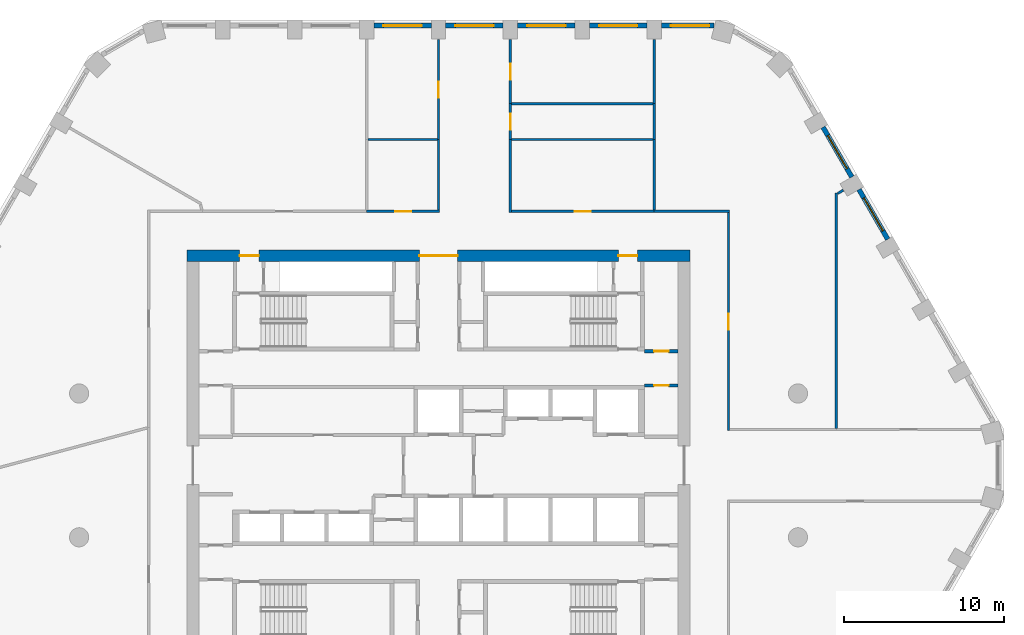
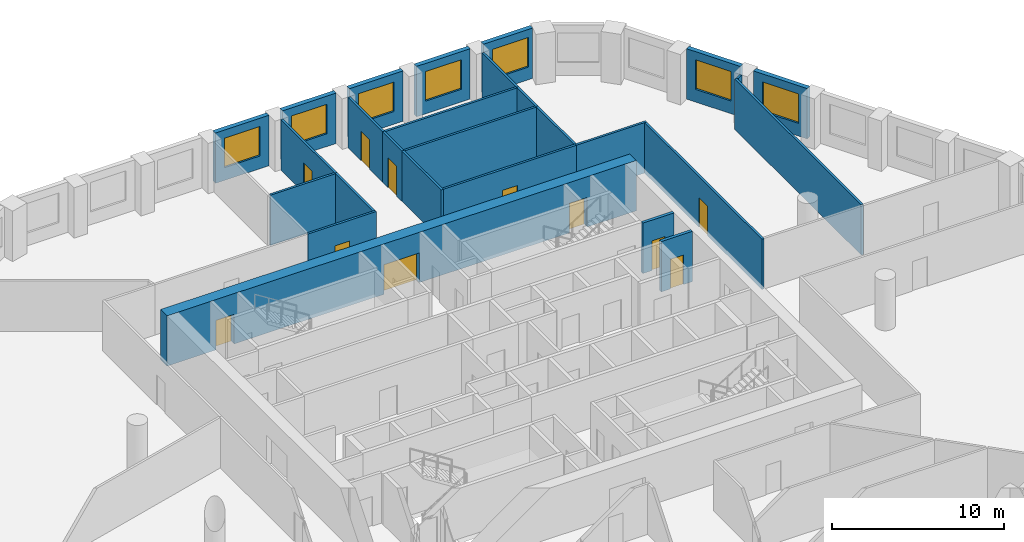
# One storey, part 7 of 9: 27 walls, 11 doors, 7 windows, 18 openings.
"""IFC4 building model written with IfcOpenShell, lengths in metres."""

from ifc_helpers import new_model, si_unit, direction, frame, frame_2d, origin, place, context, subcontext, project, spatial, rectangle, extrude, material, layer, layer_set, type_object, element, fill, save


model = new_model("IFC4")

# Units and contexts
model_context = context("Model", 3, precision=1e-05, world=origin(), true_north=direction((0.0, 1.0)))
body_context = subcontext(model_context, "Body", "Model", "MODEL_VIEW")
ifc_project = project(units=[si_unit("LENGTHUNIT", "METRE"), si_unit("AREAUNIT", "SQUARE_METRE"), si_unit("VOLUMEUNIT", "CUBIC_METRE"), si_unit("PLANEANGLEUNIT", "RADIAN"), si_unit("MASSUNIT", "GRAM", prefix="KILO")], contexts=[model_context])

# Site, building, storey
site_placement = place(None, origin())
site = spatial("IfcSite", under=ifc_project, at=site_placement, CompositionType="ELEMENT")
building_placement = place(site_placement, origin())
building = spatial("IfcBuilding", under=site, at=building_placement, Name="Dhurran Vertical Campus", CompositionType="ELEMENT")
storey_placement = place(building_placement, frame((0.0, 0.0, 167.699951171875)))
storey = spatial("IfcBuildingStorey", under=building, at=storey_placement, Name="L41", CompositionType="ELEMENT", Elevation=167.699951171875)

# Wall, opening, window
ifc_material_1 = material(Name="Precast concrete C50/60", Category="concrete")
ifc_layer_1 = layer(ifc_material_1, 0.300048828125)
ifc_layer_set_1 = layer_set([ifc_layer_1], Name="Precast concrete C50/60")
wall_type_1 = type_object("IfcWallType", Name="Precast spandrel wall 300", PredefinedType="SOLIDWALL", material=ifc_layer_set_1)
wall_1_placement = place(storey_placement, frame((28.118896484375, 14.156494140625, 0.0), z_axis=(0.0, 0.0, 1.0), x_axis=(-0.500027802648, 0.866009351323, 0.0)))
wall_1 = element("IfcWall", 1, at=wall_1_placement, inside=storey, type_object=wall_type_1, Name="EW1 L41.19", PredefinedType="SOLIDWALL", context=body_context, shape_type="SweptSolid", body=[
    extrude(rectangle(XDim=3.598876953125, YDim=0.300048828125, at=frame_2d((1.79931640625, 0.0))), origin(), (0.0, 0.0, 1.0), 3.574951171875),
])
opening_1_placement = place(wall_1_placement, frame((0.599609375, 0.0, 0.89990234375)))
opening_1 = element("IfcOpeningElement", 2, at=opening_1_placement, cuts=wall_1, Name="Opening WT1", PredefinedType="OPENING", context=body_context, shape_type="SweptSolid", body=[
    extrude(rectangle(XDim=2.39990234375, YDim=2.10009765625, at=frame_2d((1.199951171875, 1.050048828125))), frame((0.0, 0.159912109375, 0.0), z_axis=(0.0, -1.0, 0.0), x_axis=(1.0, 0.0, 0.0)), (0.0, 0.0, 1.0), 0.320068359375),
])
ifc_material_2 = material(Name="Aluminium frame with solar-control glass", Category="aluminium")
window_type = type_object("IfcWindowType", Name="Punched window 2400 x 2100", PartitioningType="SINGLE_PANEL", PredefinedType="WINDOW", material=ifc_material_2)
window_1_placement = place(opening_1_placement, origin())
window_1 = element("IfcWindow", 3, at=window_1_placement, inside=storey, type_object=window_type, Name="WT1 L41.19", OverallHeight=2.10009765625, OverallWidth=2.39990234375, PartitioningType="SINGLE_PANEL", PredefinedType="WINDOW", context=body_context, shape_type="SweptSolid", body=[
    extrude(rectangle(XDim=2.39990234375, YDim=2.10009765625, at=frame_2d((1.199951171875, 1.050048828125))), frame((0.0, 0.030029296875, 0.0), z_axis=(0.0, -1.0, 0.0), x_axis=(1.0, 0.0, 0.0)), (0.0, 0.0, 1.0), 0.06005859375),
])
fill(opening_1, window_1)

wall_2_placement = place(storey_placement, frame((25.868896484375, 18.0537109375, 0.0), z_axis=(0.0, 0.0, 1.0), x_axis=(-0.500027802648, 0.866009351323, 0.0)))
wall_2 = element("IfcWall", 4, at=wall_2_placement, inside=storey, type_object=wall_type_1, Name="EW1 L41.20", PredefinedType="SOLIDWALL", context=body_context, shape_type="SweptSolid", body=[
    extrude(rectangle(XDim=3.598876953125, YDim=0.300048828125, at=frame_2d((1.79931640625, 0.0))), origin(), (0.0, 0.0, 1.0), 3.574951171875),
])
opening_2_placement = place(wall_2_placement, frame((0.599609375, 0.0, 0.89990234375)))
opening_2 = element("IfcOpeningElement", 5, at=opening_2_placement, cuts=wall_2, Name="Opening WT1", PredefinedType="OPENING", context=body_context, shape_type="SweptSolid", body=[
    extrude(rectangle(XDim=2.39990234375, YDim=2.10009765625, at=frame_2d((1.199951171875, 1.050048828125))), frame((0.0, 0.159912109375, 0.0), z_axis=(0.0, -1.0, 0.0), x_axis=(1.0, 0.0, 0.0)), (0.0, 0.0, 1.0), 0.320068359375),
])
window_2_placement = place(opening_2_placement, origin())
window_2 = element("IfcWindow", 6, at=window_2_placement, inside=storey, type_object=window_type, Name="WT1 L41.20", OverallHeight=2.10009765625, OverallWidth=2.39990234375, PartitioningType="SINGLE_PANEL", PredefinedType="WINDOW", context=body_context, shape_type="SweptSolid", body=[
    extrude(rectangle(XDim=2.39990234375, YDim=2.10009765625, at=frame_2d((1.199951171875, 1.050048828125))), frame((0.0, 0.030029296875, 0.0), z_axis=(0.0, -1.0, 0.0), x_axis=(1.0, 0.0, 0.0)), (0.0, 0.0, 1.0), 0.06005859375),
])
fill(opening_2, window_2)

wall_3_placement = place(storey_placement, frame((17.24462890625, 27.53271484375, 0.0), z_axis=(0.0, 0.0, 1.0), x_axis=(-1.0, 0.0, 0.0)))
wall_3 = element("IfcWall", 7, at=wall_3_placement, inside=storey, type_object=wall_type_1, Name="EW1 L41.23", PredefinedType="SOLIDWALL", context=body_context, shape_type="SweptSolid", body=[
    extrude(rectangle(XDim=3.294189453125, YDim=0.300048828125, at=frame_2d((1.64697265625, 0.0))), origin(), (0.0, 0.0, 1.0), 3.574951171875),
])
opening_3_placement = place(wall_3_placement, frame((0.294677734375, 0.0, 0.89990234375)))
opening_3 = element("IfcOpeningElement", 8, at=opening_3_placement, cuts=wall_3, Name="Opening WT1", PredefinedType="OPENING", context=body_context, shape_type="SweptSolid", body=[
    extrude(rectangle(XDim=2.39990234375, YDim=2.10009765625, at=frame_2d((1.199951171875, 1.050048828125))), frame((0.0, 0.159912109375, 0.0), z_axis=(0.0, -1.0, 0.0), x_axis=(1.0, 0.0, 0.0)), (0.0, 0.0, 1.0), 0.320068359375),
])
window_3_placement = place(opening_3_placement, origin())
window_3 = element("IfcWindow", 9, at=window_3_placement, inside=storey, type_object=window_type, Name="WT1 L41.23", OverallHeight=2.10009765625, OverallWidth=2.39990234375, PartitioningType="SINGLE_PANEL", PredefinedType="WINDOW", context=body_context, shape_type="SweptSolid", body=[
    extrude(rectangle(XDim=2.39990234375, YDim=2.10009765625, at=frame_2d((1.199951171875, 1.050048828125))), frame((0.0, 0.030029296875, 0.0), z_axis=(0.0, -1.0, 0.0), x_axis=(1.0, 0.0, 0.0)), (0.0, 0.0, 1.0), 0.06005859375),
])
fill(opening_3, window_3)

wall_4_placement = place(storey_placement, frame((13.049560546875, 27.53271484375, 0.0), z_axis=(0.0, 0.0, 1.0), x_axis=(-1.0, 0.0, 0.0)))
wall_4 = element("IfcWall", 10, at=wall_4_placement, inside=storey, type_object=wall_type_1, Name="EW1 L41.24", PredefinedType="SOLIDWALL", context=body_context, shape_type="SweptSolid", body=[
    extrude(rectangle(XDim=3.59912109375, YDim=0.300048828125, at=frame_2d((1.799560546875, 0.0))), origin(), (0.0, 0.0, 1.0), 3.574951171875),
])
opening_4_placement = place(wall_4_placement, frame((0.599609375, 0.0, 0.89990234375)))
opening_4 = element("IfcOpeningElement", 11, at=opening_4_placement, cuts=wall_4, Name="Opening WT1", PredefinedType="OPENING", context=body_context, shape_type="SweptSolid", body=[
    extrude(rectangle(XDim=2.39990234375, YDim=2.10009765625, at=frame_2d((1.199951171875, 1.050048828125))), frame((0.0, 0.159912109375, 0.0), z_axis=(0.0, -1.0, 0.0), x_axis=(1.0, 0.0, 0.0)), (0.0, 0.0, 1.0), 0.320068359375),
])
window_4_placement = place(opening_4_placement, origin())
window_4 = element("IfcWindow", 12, at=window_4_placement, inside=storey, type_object=window_type, Name="WT1 L41.24", OverallHeight=2.10009765625, OverallWidth=2.39990234375, PartitioningType="SINGLE_PANEL", PredefinedType="WINDOW", context=body_context, shape_type="SweptSolid", body=[
    extrude(rectangle(XDim=2.39990234375, YDim=2.10009765625, at=frame_2d((1.199951171875, 1.050048828125))), frame((0.0, 0.030029296875, 0.0), z_axis=(0.0, -1.0, 0.0), x_axis=(1.0, 0.0, 0.0)), (0.0, 0.0, 1.0), 0.06005859375),
])
fill(opening_4, window_4)

wall_5_placement = place(storey_placement, frame((8.549560546875, 27.53271484375, 0.0), z_axis=(0.0, 0.0, 1.0), x_axis=(-1.0, 0.0, 0.0)))
wall_5 = element("IfcWall", 13, at=wall_5_placement, inside=storey, type_object=wall_type_1, Name="EW1 L41.25", PredefinedType="SOLIDWALL", context=body_context, shape_type="SweptSolid", body=[
    extrude(rectangle(XDim=3.59912109375, YDim=0.300048828125, at=frame_2d((1.799560546875, 0.0))), origin(), (0.0, 0.0, 1.0), 3.574951171875),
])
opening_5_placement = place(wall_5_placement, frame((0.599609375, 0.0, 0.89990234375)))
opening_5 = element("IfcOpeningElement", 14, at=opening_5_placement, cuts=wall_5, Name="Opening WT1", PredefinedType="OPENING", context=body_context, shape_type="SweptSolid", body=[
    extrude(rectangle(XDim=2.39990234375, YDim=2.10009765625, at=frame_2d((1.199951171875, 1.050048828125))), frame((0.0, 0.159912109375, 0.0), z_axis=(0.0, -1.0, 0.0), x_axis=(1.0, 0.0, 0.0)), (0.0, 0.0, 1.0), 0.320068359375),
])
window_5_placement = place(opening_5_placement, origin())
window_5 = element("IfcWindow", 15, at=window_5_placement, inside=storey, type_object=window_type, Name="WT1 L41.25", OverallHeight=2.10009765625, OverallWidth=2.39990234375, PartitioningType="SINGLE_PANEL", PredefinedType="WINDOW", context=body_context, shape_type="SweptSolid", body=[
    extrude(rectangle(XDim=2.39990234375, YDim=2.10009765625, at=frame_2d((1.199951171875, 1.050048828125))), frame((0.0, 0.030029296875, 0.0), z_axis=(0.0, -1.0, 0.0), x_axis=(1.0, 0.0, 0.0)), (0.0, 0.0, 1.0), 0.06005859375),
])
fill(opening_5, window_5)

wall_6_placement = place(storey_placement, frame((4.049560546875, 27.53271484375, 0.0), z_axis=(0.0, 0.0, 1.0), x_axis=(-1.0, 0.0, 0.0)))
wall_6 = element("IfcWall", 16, at=wall_6_placement, inside=storey, type_object=wall_type_1, Name="EW1 L41.26", PredefinedType="SOLIDWALL", context=body_context, shape_type="SweptSolid", body=[
    extrude(rectangle(XDim=3.59912109375, YDim=0.300048828125, at=frame_2d((1.799560546875, 0.0))), origin(), (0.0, 0.0, 1.0), 3.574951171875),
])
opening_6_placement = place(wall_6_placement, frame((0.599609375, 0.0, 0.89990234375)))
opening_6 = element("IfcOpeningElement", 17, at=opening_6_placement, cuts=wall_6, Name="Opening WT1", PredefinedType="OPENING", context=body_context, shape_type="SweptSolid", body=[
    extrude(rectangle(XDim=2.39990234375, YDim=2.10009765625, at=frame_2d((1.199951171875, 1.050048828125))), frame((0.0, 0.159912109375, 0.0), z_axis=(0.0, -1.0, 0.0), x_axis=(1.0, 0.0, 0.0)), (0.0, 0.0, 1.0), 0.320068359375),
])
window_6_placement = place(opening_6_placement, origin())
window_6 = element("IfcWindow", 18, at=window_6_placement, inside=storey, type_object=window_type, Name="WT1 L41.26", OverallHeight=2.10009765625, OverallWidth=2.39990234375, PartitioningType="SINGLE_PANEL", PredefinedType="WINDOW", context=body_context, shape_type="SweptSolid", body=[
    extrude(rectangle(XDim=2.39990234375, YDim=2.10009765625, at=frame_2d((1.199951171875, 1.050048828125))), frame((0.0, 0.030029296875, 0.0), z_axis=(0.0, -1.0, 0.0), x_axis=(1.0, 0.0, 0.0)), (0.0, 0.0, 1.0), 0.06005859375),
])
fill(opening_6, window_6)

wall_7_placement = place(storey_placement, frame((-0.450439453125, 27.53271484375, 0.0), z_axis=(0.0, 0.0, 1.0), x_axis=(-1.0, 0.0, 0.0)))
wall_7 = element("IfcWall", 19, at=wall_7_placement, inside=storey, type_object=wall_type_1, Name="EW1 L41.27", PredefinedType="SOLIDWALL", context=body_context, shape_type="SweptSolid", body=[
    extrude(rectangle(XDim=3.59912109375, YDim=0.300048828125, at=frame_2d((1.799560546875, 0.0))), origin(), (0.0, 0.0, 1.0), 3.574951171875),
])
opening_7_placement = place(wall_7_placement, frame((0.599609375, 0.0, 0.89990234375)))
opening_7 = element("IfcOpeningElement", 20, at=opening_7_placement, cuts=wall_7, Name="Opening WT1", PredefinedType="OPENING", context=body_context, shape_type="SweptSolid", body=[
    extrude(rectangle(XDim=2.39990234375, YDim=2.10009765625, at=frame_2d((1.199951171875, 1.050048828125))), frame((0.0, 0.159912109375, 0.0), z_axis=(0.0, -1.0, 0.0), x_axis=(1.0, 0.0, 0.0)), (0.0, 0.0, 1.0), 0.320068359375),
])
window_7_placement = place(opening_7_placement, origin())
window_7 = element("IfcWindow", 21, at=window_7_placement, inside=storey, type_object=window_type, Name="WT1 L41.27", OverallHeight=2.10009765625, OverallWidth=2.39990234375, PartitioningType="SINGLE_PANEL", PredefinedType="WINDOW", context=body_context, shape_type="SweptSolid", body=[
    extrude(rectangle(XDim=2.39990234375, YDim=2.10009765625, at=frame_2d((1.199951171875, 1.050048828125))), frame((0.0, 0.030029296875, 0.0), z_axis=(0.0, -1.0, 0.0), x_axis=(1.0, 0.0, 0.0)), (0.0, 0.0, 1.0), 0.06005859375),
])
fill(opening_7, window_7)

# Wall, openings, doors
ifc_material_3 = material(Name="Concrete C60/75", Category="concrete")
ifc_layer_2 = layer(ifc_material_3, 0.75)
ifc_layer_set_2 = layer_set([ifc_layer_2], Name="Concrete C60/75")
wall_type_2 = type_object("IfcWallType", Name="co-CORE-WALL-C1-750", PredefinedType="SHEAR", material=ifc_layer_set_2)
wall_8_placement = place(storey_placement, frame((-15.75, 13.125, 0.0), z_axis=(0.0, 0.0, 1.0), x_axis=(1.0, 0.0, 0.0)))
wall_8 = element("IfcWall", 22, at=wall_8_placement, inside=storey, type_object=wall_type_2, Name="Core wall N L41", PredefinedType="SHEAR", context=body_context, shape_type="SweptSolid", body=[
    extrude(rectangle(XDim=31.5, YDim=0.75, at=frame_2d((15.75, 0.0))), origin(), (0.0, 0.0, 1.0), 3.574951171875),
])
opening_8_placement = place(wall_8_placement, frame((14.550048828125, 0.0, 0.0)))
opening_8 = element("IfcOpeningElement", 23, at=opening_8_placement, cuts=wall_8, Name="Opening CV1", PredefinedType="OPENING", context=body_context, shape_type="SweptSolid", body=[
    extrude(rectangle(XDim=2.39990234375, YDim=2.10009765625, at=frame_2d((1.199951171875, 1.050048828125))), frame((0.0, 0.385009765625, 0.0), z_axis=(0.0, -1.0, 0.0), x_axis=(1.0, 0.0, 0.0)), (0.0, 0.0, 1.0), 0.77001953125),
])
opening_9_placement = place(wall_8_placement, frame((3.300048828125, 0.0, 0.0)))
opening_9 = element("IfcOpeningElement", 24, at=opening_9_placement, cuts=wall_8, Name="Opening XD1", PredefinedType="OPENING", context=body_context, shape_type="SweptSolid", body=[
    extrude(rectangle(XDim=1.199951171875, YDim=2.10009765625, at=frame_2d((0.60009765625, 1.050048828125))), frame((0.0, 0.385009765625, 0.0), z_axis=(0.0, -1.0, 0.0), x_axis=(1.0, 0.0, 0.0)), (0.0, 0.0, 1.0), 0.77001953125),
])
opening_10_placement = place(wall_8_placement, frame((27.0, 0.0, 0.0)))
opening_10 = element("IfcOpeningElement", 25, at=opening_10_placement, cuts=wall_8, Name="Opening XD2", PredefinedType="OPENING", context=body_context, shape_type="SweptSolid", body=[
    extrude(rectangle(XDim=1.199951171875, YDim=2.10009765625, at=frame_2d((0.60009765625, 1.050048828125))), frame((0.0, 0.385009765625, 0.0), z_axis=(0.0, -1.0, 0.0), x_axis=(1.0, 0.0, 0.0)), (0.0, 0.0, 1.0), 0.77001953125),
])
ifc_material_4 = material(Name="Fire-rated glazed door set")
door_type_1 = type_object("IfcDoorType", Name="co-D-LOBBY 2400x2100", OperationType="DOUBLE_DOOR_DOUBLE_SWING", PredefinedType="DOOR", material=ifc_material_4)
door_1_placement = place(opening_8_placement, origin())
door_1 = element("IfcDoor", 26, at=door_1_placement, inside=storey, type_object=door_type_1, Name="Core vestibule door N L41", OperationType="DOUBLE_DOOR_DOUBLE_SWING", OverallHeight=2.10009765625, OverallWidth=2.39990234375, PredefinedType="DOOR", context=body_context, shape_type="SweptSolid", body=[
    extrude(rectangle(XDim=2.39990234375, YDim=2.10009765625, at=frame_2d((1.199951171875, 1.050048828125))), frame((0.0, 0.02490234375, 0.0), z_axis=(0.0, -1.0, 0.0), x_axis=(1.0, 0.0, 0.0)), (0.0, 0.0, 1.0), 0.050048828125),
])
fill(opening_8, door_1)
ifc_material_5 = material(Name="Fire-rated steel door set", Category="steel")
door_type_2 = type_object("IfcDoorType", Name="co-D-STAIR-EXIT 1200x2100", OperationType="SINGLE_SWING_RIGHT", PredefinedType="DOOR", material=ifc_material_5)
door_2_placement = place(opening_9_placement, origin())
door_2 = element("IfcDoor", 27, at=door_2_placement, inside=storey, type_object=door_type_2, Name="Stair ST1 exit door L41", OperationType="SINGLE_SWING_RIGHT", OverallHeight=2.10009765625, OverallWidth=1.199951171875, PredefinedType="DOOR", context=body_context, shape_type="SweptSolid", body=[
    extrude(rectangle(XDim=1.199951171875, YDim=2.10009765625, at=frame_2d((0.60009765625, 1.050048828125))), frame((0.0, 0.02490234375, 0.0), z_axis=(0.0, -1.0, 0.0), x_axis=(1.0, 0.0, 0.0)), (0.0, 0.0, 1.0), 0.050048828125),
])
fill(opening_9, door_2)
door_3_placement = place(opening_10_placement, origin())
door_3 = element("IfcDoor", 28, at=door_3_placement, inside=storey, type_object=door_type_2, Name="Stair ST2 exit door L41", OperationType="SINGLE_SWING_RIGHT", OverallHeight=2.10009765625, OverallWidth=1.199951171875, PredefinedType="DOOR", context=body_context, shape_type="SweptSolid", body=[
    extrude(rectangle(XDim=1.199951171875, YDim=2.10009765625, at=frame_2d((0.60009765625, 1.050048828125))), frame((0.0, 0.02490234375, 0.0), z_axis=(0.0, -1.0, 0.0), x_axis=(1.0, 0.0, 0.0)), (0.0, 0.0, 1.0), 0.050048828125),
])
fill(opening_10, door_3)

# Wall, opening, door
ifc_material_6 = material(Name="Fire-rated masonry blockwork", Category="masonry")
ifc_layer_3 = layer(ifc_material_6, 0.199951171875)
ifc_layer_set_3 = layer_set([ifc_layer_3], Name="Fire-rated masonry blockwork")
wall_type_3 = type_object("IfcWallType", Name="co-FIRE-PARTITION-200", PredefinedType="PARTITIONING", material=ifc_layer_set_3)
wall_9_placement = place(storey_placement, frame((12.89990234375, 7.14990234375, 0.0), z_axis=(0.0, 0.0, 1.0), x_axis=(1.0, 0.0, 0.0)))
wall_9 = element("IfcWall", 29, at=wall_9_placement, inside=storey, type_object=wall_type_3, Name="Core partition en-NE-w L41", PredefinedType="PARTITIONING", context=body_context, shape_type="SweptSolid", body=[
    extrude(rectangle(XDim=2.10009765625, YDim=0.199951171875, at=frame_2d((1.050048828125, 0.0))), origin(), (0.0, 0.0, 1.0), 3.574951171875),
])
opening_11_placement = place(wall_9_placement, frame((0.60009765625, 0.0, 0.0)))
opening_11 = element("IfcOpeningElement", 30, at=opening_11_placement, cuts=wall_9, Name="Opening T12-C16", PredefinedType="OPENING", context=body_context, shape_type="SweptSolid", body=[
    extrude(rectangle(XDim=0.89990234375, YDim=2.10009765625, at=frame_2d((0.449951171875, 1.050048828125))), frame((0.0, 0.10986328125, 0.0), z_axis=(0.0, -1.0, 0.0), x_axis=(1.0, 0.0, 0.0)), (0.0, 0.0, 1.0), 0.219970703125),
])
ifc_material_7 = material(Name="Fire-rated timber door set", Category="wood")
door_type_3 = type_object("IfcDoorType", Name="co-D-ROOM 900x2100", OperationType="SINGLE_SWING_LEFT", PredefinedType="DOOR", material=ifc_material_7)
door_4_placement = place(opening_11_placement, origin())
door_4 = element("IfcDoor", 31, at=door_4_placement, inside=storey, type_object=door_type_3, Name="Server room door L41", OperationType="SINGLE_SWING_LEFT", OverallHeight=2.10009765625, OverallWidth=0.89990234375, PredefinedType="DOOR", context=body_context, shape_type="SweptSolid", body=[
    extrude(rectangle(XDim=0.89990234375, YDim=2.10009765625, at=frame_2d((0.449951171875, 1.050048828125))), frame((0.0, 0.02490234375, 0.0), z_axis=(0.0, -1.0, 0.0), x_axis=(1.0, 0.0, 0.0)), (0.0, 0.0, 1.0), 0.050048828125),
])
fill(opening_11, door_4)

wall_10_placement = place(storey_placement, frame((12.89990234375, 5.0, 0.0), z_axis=(0.0, 0.0, 1.0), x_axis=(1.0, 0.0, 0.0)))
wall_10 = element("IfcWall", 32, at=wall_10_placement, inside=storey, type_object=wall_type_3, Name="Core partition es-NE-w L41", PredefinedType="PARTITIONING", context=body_context, shape_type="SweptSolid", body=[
    extrude(rectangle(XDim=2.10009765625, YDim=0.199951171875, at=frame_2d((1.050048828125, 0.0))), origin(), (0.0, 0.0, 1.0), 3.574951171875),
])
opening_12_placement = place(wall_10_placement, frame((0.60009765625, 0.0, 0.0)))
opening_12 = element("IfcOpeningElement", 33, at=opening_12_placement, cuts=wall_10, Name="Opening T12-C17", PredefinedType="OPENING", context=body_context, shape_type="SweptSolid", body=[
    extrude(rectangle(XDim=0.89990234375, YDim=2.10009765625, at=frame_2d((0.449951171875, 1.050048828125))), frame((0.0, 0.10986328125, 0.0), z_axis=(0.0, -1.0, 0.0), x_axis=(1.0, 0.0, 0.0)), (0.0, 0.0, 1.0), 0.219970703125),
])
door_5_placement = place(opening_12_placement, origin())
door_5 = element("IfcDoor", 34, at=door_5_placement, inside=storey, type_object=door_type_3, Name="Communications room door L41", OperationType="SINGLE_SWING_LEFT", OverallHeight=2.10009765625, OverallWidth=0.89990234375, PredefinedType="DOOR", context=body_context, shape_type="SweptSolid", body=[
    extrude(rectangle(XDim=0.89990234375, YDim=2.10009765625, at=frame_2d((0.449951171875, 1.050048828125))), frame((0.0, 0.02490234375, 0.0), z_axis=(0.0, -1.0, 0.0), x_axis=(1.0, 0.0, 0.0)), (0.0, 0.0, 1.0), 0.050048828125),
])
fill(opening_12, door_5)

ifc_material_8 = material(Name="Gypsum board corridor wall on steel studs", Category="steel")
ifc_layer_4 = layer(ifc_material_8, 0.14990234375)
ifc_layer_set_4 = layer_set([ifc_layer_4], Name="Gypsum board corridor wall on steel studs")
wall_type_4 = type_object("IfcWallType", Name="fl-CW-150 corridor wall", PredefinedType="PARTITIONING", material=ifc_layer_set_4)
wall_11_placement = place(storey_placement, frame((0.074951171875, 15.89990234375, 0.0), z_axis=(0.0, 0.0, 1.0), x_axis=(-1.0, 0.0, 0.0)))
wall_11 = element("IfcWall", 35, at=wall_11_placement, inside=storey, type_object=wall_type_4, Name="Partition 41-17", PredefinedType="PARTITIONING", context=body_context, shape_type="SweptSolid", body=[
    extrude(rectangle(XDim=4.574951171875, YDim=0.14990234375, at=frame_2d((2.28759765625, 0.0))), origin(), (0.0, 0.0, 1.0), 3.574951171875),
])
opening_13_placement = place(wall_11_placement, frame((1.78759765625, 0.0, 0.0)))
opening_13 = element("IfcOpeningElement", 36, at=opening_13_placement, cuts=wall_11, Name="Opening T12.07", PredefinedType="OPENING", context=body_context, shape_type="SweptSolid", body=[
    extrude(rectangle(XDim=1.0, YDim=2.10009765625, at=frame_2d((0.5, 1.050048828125))), frame((0.0, 0.0849609375, 0.0), z_axis=(0.0, -1.0, 0.0), x_axis=(1.0, 0.0, 0.0)), (0.0, 0.0, 1.0), 0.169921875),
])
ifc_material_9 = material(Name="Solid-core timber door set, fire-rated", Category="wood")
door_type_4 = type_object("IfcDoorType", Name="fl-D-1000x2100", OperationType="SINGLE_SWING_LEFT", PredefinedType="DOOR", material=ifc_material_9)
door_6_placement = place(opening_13_placement, origin())
door_6 = element("IfcDoor", 37, at=door_6_placement, inside=storey, type_object=door_type_4, Name="Door 41.07", OperationType="SINGLE_SWING_RIGHT", OverallHeight=2.10009765625, OverallWidth=1.0, PredefinedType="DOOR", context=body_context, shape_type="SweptSolid", body=[
    extrude(rectangle(XDim=1.0, YDim=2.10009765625, at=frame_2d((0.5, 1.050048828125))), frame((0.0, 0.02490234375, 0.0), z_axis=(0.0, -1.0, 0.0), x_axis=(1.0, 0.0, 0.0)), (0.0, 0.0, 1.0), 0.050048828125),
])
fill(opening_13, door_6)

# Wall
wall_12_placement = place(storey_placement, frame((0.0, 15.97509765625, 0.0), z_axis=(0.0, 0.0, 1.0), x_axis=(0.0, 1.0, 0.0)))
element("IfcWall", 38, at=wall_12_placement, inside=storey, type_object=wall_type_4, Name="Partition 41-22", PredefinedType="PARTITIONING", context=body_context, shape_type="SweptSolid", body=[
    extrude(rectangle(XDim=4.4248046875, YDim=0.14990234375, at=frame_2d((2.21240234375, 0.0))), origin(), (0.0, 0.0, 1.0), 3.574951171875),
])

# Wall, opening, door
wall_13_placement = place(storey_placement, frame((0.0, 20.39990234375, 0.0), z_axis=(0.0, 0.0, 1.0), x_axis=(0.0, 1.0, 0.0)))
wall_13 = element("IfcWall", 39, at=wall_13_placement, inside=storey, type_object=wall_type_4, Name="Partition 41-23", PredefinedType="PARTITIONING", context=body_context, shape_type="SweptSolid", body=[
    extrude(rectangle(XDim=6.2626953125, YDim=0.14990234375, at=frame_2d((3.13134765625, 0.0))), origin(), (0.0, 0.0, 1.0), 3.574951171875),
])
opening_14_placement = place(wall_13_placement, frame((2.63134765625, 0.0, 0.0)))
opening_14 = element("IfcOpeningElement", 40, at=opening_14_placement, cuts=wall_13, Name="Opening T12.08", PredefinedType="OPENING", context=body_context, shape_type="SweptSolid", body=[
    extrude(rectangle(XDim=1.0, YDim=2.10009765625, at=frame_2d((0.5, 1.050048828125))), frame((0.0, 0.0849609375, 0.0), z_axis=(0.0, -1.0, 0.0), x_axis=(1.0, 0.0, 0.0)), (0.0, 0.0, 1.0), 0.169921875),
])
door_7_placement = place(opening_14_placement, origin())
door_7 = element("IfcDoor", 41, at=door_7_placement, inside=storey, type_object=door_type_4, Name="Door 41.08", OperationType="SINGLE_SWING_RIGHT", OverallHeight=2.10009765625, OverallWidth=1.0, PredefinedType="DOOR", context=body_context, shape_type="SweptSolid", body=[
    extrude(rectangle(XDim=1.0, YDim=2.10009765625, at=frame_2d((0.5, 1.050048828125))), frame((0.0, 0.02490234375, 0.0), z_axis=(0.0, -1.0, 0.0), x_axis=(1.0, 0.0, 0.0)), (0.0, 0.0, 1.0), 0.050048828125),
])
fill(opening_14, door_7)

# Wall
wall_14_placement = place(storey_placement, frame((4.5, 20.39990234375, 0.0), z_axis=(0.0, 0.0, 1.0), x_axis=(0.0, -1.0, 0.0)))
element("IfcWall", 42, at=wall_14_placement, inside=storey, type_object=wall_type_4, Name="Partition 41-30", PredefinedType="PARTITIONING", context=body_context, shape_type="SweptSolid", body=[
    extrude(rectangle(XDim=4.574951171875, YDim=0.14990234375, at=frame_2d((2.28759765625, 0.0))), origin(), (0.0, 0.0, 1.0), 3.574951171875),
])

# Wall, opening, door
wall_15_placement = place(storey_placement, frame((13.5, 15.89990234375, 0.0), z_axis=(0.0, 0.0, 1.0), x_axis=(-1.0, 0.0, 0.0)))
wall_15 = element("IfcWall", 43, at=wall_15_placement, inside=storey, type_object=wall_type_4, Name="Partition 41-31", PredefinedType="PARTITIONING", context=body_context, shape_type="SweptSolid", body=[
    extrude(rectangle(XDim=8.925048828125, YDim=0.14990234375, at=frame_2d((4.46240234375, 0.0))), origin(), (0.0, 0.0, 1.0), 3.574951171875),
])
opening_15_placement = place(wall_15_placement, frame((3.96240234375, 0.0, 0.0)))
opening_15 = element("IfcOpeningElement", 44, at=opening_15_placement, cuts=wall_15, Name="Opening T12.09", PredefinedType="OPENING", context=body_context, shape_type="SweptSolid", body=[
    extrude(rectangle(XDim=1.0, YDim=2.10009765625, at=frame_2d((0.5, 1.050048828125))), frame((0.0, 0.0849609375, 0.0), z_axis=(0.0, -1.0, 0.0), x_axis=(1.0, 0.0, 0.0)), (0.0, 0.0, 1.0), 0.169921875),
])
door_8_placement = place(opening_15_placement, origin())
door_8 = element("IfcDoor", 45, at=door_8_placement, inside=storey, type_object=door_type_4, Name="Door 41.09", OperationType="SINGLE_SWING_LEFT", OverallHeight=2.10009765625, OverallWidth=1.0, PredefinedType="DOOR", context=body_context, shape_type="SweptSolid", body=[
    extrude(rectangle(XDim=1.0, YDim=2.10009765625, at=frame_2d((0.5, 1.050048828125))), frame((0.0, 0.02490234375, 0.0), z_axis=(0.0, -1.0, 0.0), x_axis=(1.0, 0.0, 0.0)), (0.0, 0.0, 1.0), 0.050048828125),
])
fill(opening_15, door_8)

wall_16_placement = place(storey_placement, frame((4.5, 22.64990234375, 0.0), z_axis=(0.0, 0.0, 1.0), x_axis=(0.0, -1.0, 0.0)))
wall_16 = element("IfcWall", 46, at=wall_16_placement, inside=storey, type_object=wall_type_4, Name="Partition 41-32", PredefinedType="PARTITIONING", context=body_context, shape_type="SweptSolid", body=[
    extrude(rectangle(XDim=2.25, YDim=0.14990234375, at=frame_2d((1.125, 0.0))), origin(), (0.0, 0.0, 1.0), 3.574951171875),
])
opening_16_placement = place(wall_16_placement, frame((0.625, 0.0, 0.0)))
opening_16 = element("IfcOpeningElement", 47, at=opening_16_placement, cuts=wall_16, Name="Opening T12.10", PredefinedType="OPENING", context=body_context, shape_type="SweptSolid", body=[
    extrude(rectangle(XDim=1.0, YDim=2.10009765625, at=frame_2d((0.5, 1.050048828125))), frame((0.0, 0.0849609375, 0.0), z_axis=(0.0, -1.0, 0.0), x_axis=(1.0, 0.0, 0.0)), (0.0, 0.0, 1.0), 0.169921875),
])
door_9_placement = place(opening_16_placement, origin())
door_9 = element("IfcDoor", 48, at=door_9_placement, inside=storey, type_object=door_type_4, Name="Door 41.10", OperationType="SINGLE_SWING_RIGHT", OverallHeight=2.10009765625, OverallWidth=1.0, PredefinedType="DOOR", context=body_context, shape_type="SweptSolid", body=[
    extrude(rectangle(XDim=1.0, YDim=2.10009765625, at=frame_2d((0.5, 1.050048828125))), frame((0.0, 0.02490234375, 0.0), z_axis=(0.0, -1.0, 0.0), x_axis=(1.0, 0.0, 0.0)), (0.0, 0.0, 1.0), 0.050048828125),
])
fill(opening_16, door_9)

wall_17_placement = place(storey_placement, frame((4.5, 26.66259765625, 0.0), z_axis=(0.0, 0.0, 1.0), x_axis=(0.0, -1.0, 0.0)))
wall_17 = element("IfcWall", 49, at=wall_17_placement, inside=storey, type_object=wall_type_4, Name="Partition 41-34", PredefinedType="PARTITIONING", context=body_context, shape_type="SweptSolid", body=[
    extrude(rectangle(XDim=4.0126953125, YDim=0.14990234375, at=frame_2d((2.00634765625, 0.0))), origin(), (0.0, 0.0, 1.0), 3.574951171875),
])
opening_17_placement = place(wall_17_placement, frame((1.50634765625, 0.0, 0.0)))
opening_17 = element("IfcOpeningElement", 50, at=opening_17_placement, cuts=wall_17, Name="Opening T12.11", PredefinedType="OPENING", context=body_context, shape_type="SweptSolid", body=[
    extrude(rectangle(XDim=1.0, YDim=2.10009765625, at=frame_2d((0.5, 1.050048828125))), frame((0.0, 0.0849609375, 0.0), z_axis=(0.0, -1.0, 0.0), x_axis=(1.0, 0.0, 0.0)), (0.0, 0.0, 1.0), 0.169921875),
])
door_10_placement = place(opening_17_placement, origin())
door_10 = element("IfcDoor", 51, at=door_10_placement, inside=storey, type_object=door_type_4, Name="Door 41.11", OperationType="SINGLE_SWING_LEFT", OverallHeight=2.10009765625, OverallWidth=1.0, PredefinedType="DOOR", context=body_context, shape_type="SweptSolid", body=[
    extrude(rectangle(XDim=1.0, YDim=2.10009765625, at=frame_2d((0.5, 1.050048828125))), frame((0.0, 0.02490234375, 0.0), z_axis=(0.0, -1.0, 0.0), x_axis=(1.0, 0.0, 0.0)), (0.0, 0.0, 1.0), 0.050048828125),
])
fill(opening_17, door_10)

# Wall
wall_18_placement = place(storey_placement, frame((18.22509765625, 15.89990234375, 0.0), z_axis=(0.0, 0.0, 1.0), x_axis=(-1.0, 0.0, 0.0)))
element("IfcWall", 52, at=wall_18_placement, inside=storey, type_object=wall_type_4, Name="Partition 41-39", PredefinedType="PARTITIONING", context=body_context, shape_type="SweptSolid", body=[
    extrude(rectangle(XDim=4.72509765625, YDim=0.14990234375, at=frame_2d((2.362548828125, 0.0))), origin(), (0.0, 0.0, 1.0), 3.574951171875),
])

# Wall, opening, door
wall_19_placement = place(storey_placement, frame((18.14990234375, 2.175048828125, 0.0), z_axis=(0.0, 0.0, 1.0), x_axis=(0.0, 1.0, 0.0)))
wall_19 = element("IfcWall", 53, at=wall_19_placement, inside=storey, type_object=wall_type_4, Name="Partition 41-45", PredefinedType="PARTITIONING", context=body_context, shape_type="SweptSolid", body=[
    extrude(rectangle(XDim=13.64990234375, YDim=0.14990234375, at=frame_2d((6.824951171875, 0.0))), origin(), (0.0, 0.0, 1.0), 3.574951171875),
])
opening_18_placement = place(wall_19_placement, frame((6.324951171875, 0.0, 0.0)))
opening_18 = element("IfcOpeningElement", 54, at=opening_18_placement, cuts=wall_19, Name="Opening T12.15", PredefinedType="OPENING", context=body_context, shape_type="SweptSolid", body=[
    extrude(rectangle(XDim=1.0, YDim=2.10009765625, at=frame_2d((0.5, 1.050048828125))), frame((0.0, 0.0849609375, 0.0), z_axis=(0.0, -1.0, 0.0), x_axis=(1.0, 0.0, 0.0)), (0.0, 0.0, 1.0), 0.169921875),
])
door_11_placement = place(opening_18_placement, origin())
door_11 = element("IfcDoor", 55, at=door_11_placement, inside=storey, type_object=door_type_4, Name="Door 41.15", OperationType="SINGLE_SWING_RIGHT", OverallHeight=2.10009765625, OverallWidth=1.0, PredefinedType="DOOR", context=body_context, shape_type="SweptSolid", body=[
    extrude(rectangle(XDim=1.0, YDim=2.10009765625, at=frame_2d((0.5, 1.050048828125))), frame((0.0, 0.02490234375, 0.0), z_axis=(0.0, -1.0, 0.0), x_axis=(1.0, 0.0, 0.0)), (0.0, 0.0, 1.0), 0.050048828125),
])
fill(opening_18, door_11)

# Walls
ifc_material_10 = material(Name="Gypsum board partition on steel studs", Category="steel")
ifc_layer_5 = layer(ifc_material_10, 0.14990234375)
ifc_layer_set_5 = layer_set([ifc_layer_5], Name="Gypsum board partition on steel studs")
wall_type_5 = type_object("IfcWallType", Name="fl-PW-150 fixed partition", PredefinedType="PARTITIONING", material=ifc_layer_set_5)
wall_20_placement = place(storey_placement, frame((-4.425048828125, 20.39990234375, 0.0), z_axis=(0.0, 0.0, 1.0), x_axis=(1.0, 0.0, 0.0)))
element("IfcWall", 56, at=wall_20_placement, inside=storey, type_object=wall_type_5, Name="Partition 41-19", PredefinedType="PARTITIONING", context=body_context, shape_type="SweptSolid", body=[
    extrude(rectangle(XDim=4.35009765625, YDim=0.14990234375, at=frame_2d((2.175048828125, 0.0))), origin(), (0.0, 0.0, 1.0), 3.574951171875),
])
for number, where, z_axis, x_axis, name in (
    (57, (4.574951171875, 20.39990234375, 0.0), (0.0, 0.0, 1.0), (1.0, 0.0, 0.0), "Partition 41-33"),
    (58, (4.574951171875, 22.64990234375, 0.0), (0.0, 0.0, 1.0), (1.0, 0.0, 0.0), "Partition 41-35"),
):
    element("IfcWall", number, at=place(storey_placement, frame(where, z_axis=z_axis, x_axis=x_axis)), inside=storey, type_object=wall_type_5, Name=name, PredefinedType="PARTITIONING", context=body_context, shape_type="SweptSolid", body=[
        extrude(rectangle(XDim=8.85009765625, YDim=0.14990234375, at=frame_2d((4.425048828125, 0.0))), origin(), (0.0, 0.0, 1.0), 3.574951171875),
    ])
wall_21_placement = place(storey_placement, frame((13.5, 20.39990234375, 0.0), z_axis=(0.0, 0.0, 1.0), x_axis=(0.0, -1.0, 0.0)))
element("IfcWall", 59, at=wall_21_placement, inside=storey, type_object=wall_type_5, Name="Partition 41-38", PredefinedType="PARTITIONING", context=body_context, shape_type="SweptSolid", body=[
    extrude(rectangle(XDim=4.4248046875, YDim=0.14990234375, at=frame_2d((2.21240234375, 0.0))), origin(), (0.0, 0.0, 1.0), 3.574951171875),
])
wall_22_placement = place(storey_placement, frame((13.5, 22.64990234375, 0.0), z_axis=(0.0, 0.0, 1.0), x_axis=(0.0, -1.0, 0.0)))
element("IfcWall", 60, at=wall_22_placement, inside=storey, type_object=wall_type_5, Name="Partition 41-40", PredefinedType="PARTITIONING", context=body_context, shape_type="SweptSolid", body=[
    extrude(rectangle(XDim=2.25, YDim=0.14990234375, at=frame_2d((1.125, 0.0))), origin(), (0.0, 0.0, 1.0), 3.574951171875),
])
wall_23_placement = place(storey_placement, frame((13.5, 26.66259765625, 0.0), z_axis=(0.0, 0.0, 1.0), x_axis=(0.0, -1.0, 0.0)))
element("IfcWall", 61, at=wall_23_placement, inside=storey, type_object=wall_type_5, Name="Partition 41-41", PredefinedType="PARTITIONING", context=body_context, shape_type="SweptSolid", body=[
    extrude(rectangle(XDim=4.0126953125, YDim=0.14990234375, at=frame_2d((2.00634765625, 0.0))), origin(), (0.0, 0.0, 1.0), 3.574951171875),
])
wall_24_placement = place(storey_placement, frame((24.89990234375, 17.049072265625, 0.0), z_axis=(0.0, 0.0, 1.0), x_axis=(0.0, -1.0, 0.0)))
element("IfcWall", 62, at=wall_24_placement, inside=storey, type_object=wall_type_5, Name="Partition 41-48", PredefinedType="PARTITIONING", context=body_context, shape_type="SweptSolid", body=[
    extrude(rectangle(XDim=14.72412109375, YDim=0.14990234375, at=frame_2d((7.362060546875, 0.0))), origin(), (0.0, 0.0, 1.0), 3.574951171875),
])
wall_25_placement = place(storey_placement, frame((25.3408203125, 17.228271484375, 0.0), z_axis=(0.0, 0.0, 1.0), x_axis=(-0.866066236526, -0.499929268946, 0.0)))
element("IfcWall", 63, at=wall_25_placement, inside=storey, type_object=wall_type_5, Name="Partition 41-50", PredefinedType="PARTITIONING", context=body_context, shape_type="SweptSolid", body=[
    extrude(rectangle(XDim=0.40869140625, YDim=0.14990234375, at=frame_2d((0.204345703125, 0.0))), origin(), (0.0, 0.0, 1.0), 3.574951171875),
])

save(model, "model.ifc")
